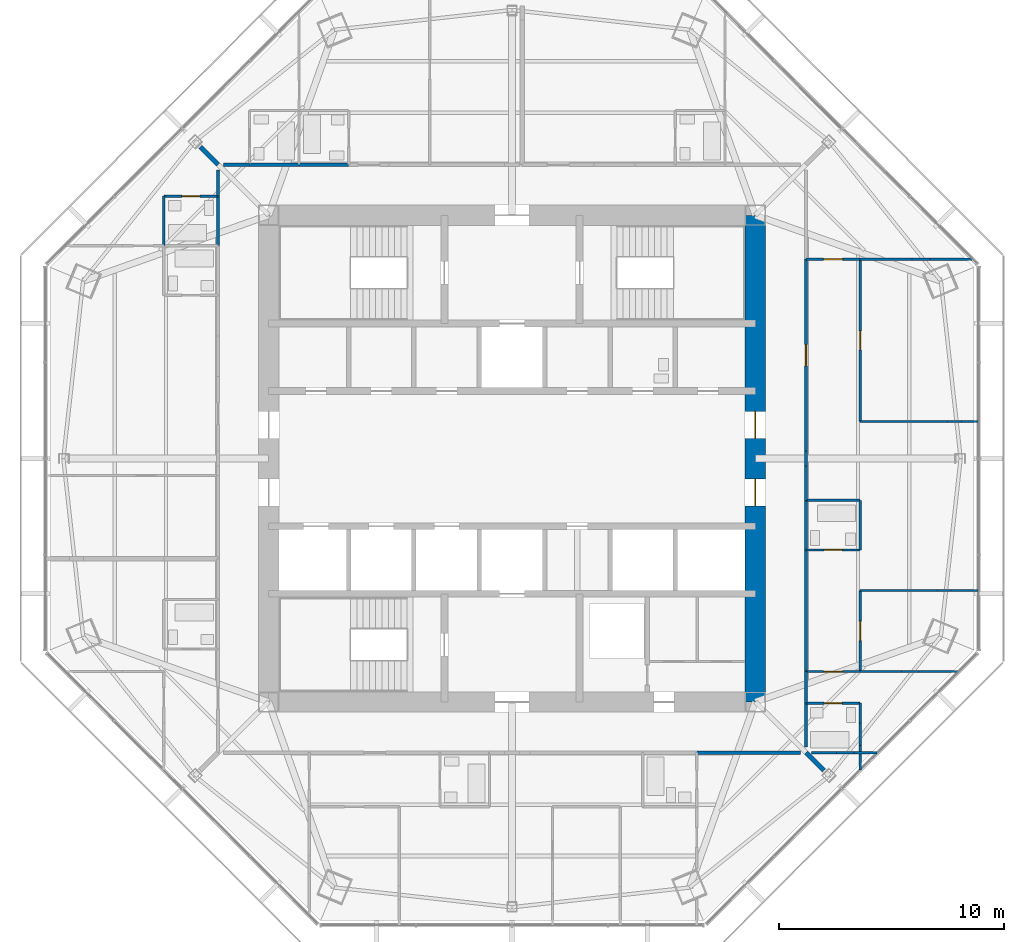
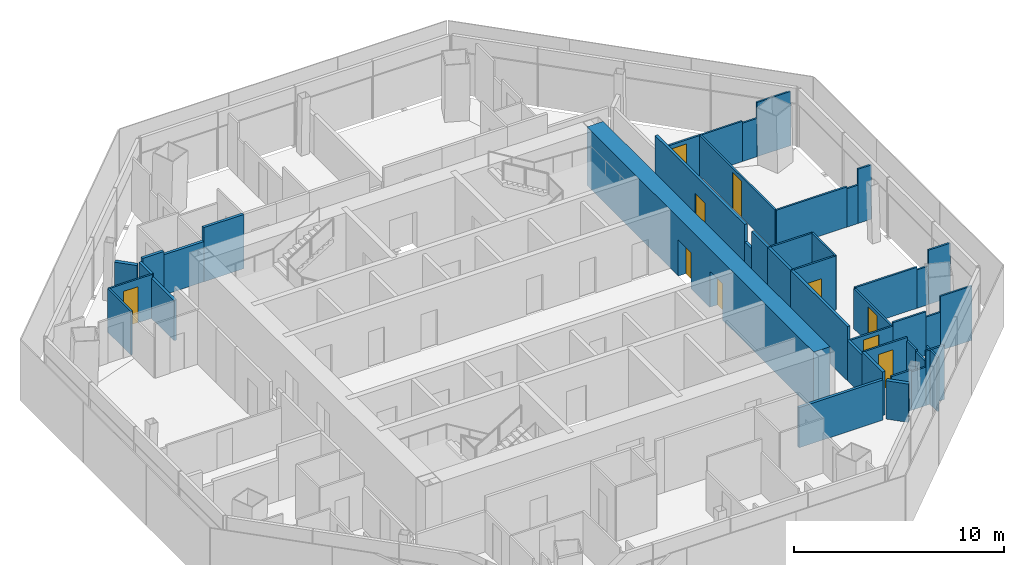
# One storey, part 11 of 15: 44 walls, 10 doors, 10 openings.
"""IFC4 building model written with IfcOpenShell, lengths in metres."""

from ifc_helpers import new_model, si_unit, direction, frame, frame_2d, origin, place, context, subcontext, project, spatial, rectangle, extrude, material, layer, layer_set, type_object, element, fill, save


model = new_model("IFC4")

# Units and contexts
model_context = context("Model", 3, precision=1e-05, world=origin(), true_north=direction((0.0, 1.0)))
body_context = subcontext(model_context, "Body", "Model", "MODEL_VIEW")
ifc_project = project(units=[si_unit("LENGTHUNIT", "METRE"), si_unit("AREAUNIT", "SQUARE_METRE"), si_unit("VOLUMEUNIT", "CUBIC_METRE"), si_unit("PLANEANGLEUNIT", "RADIAN"), si_unit("MASSUNIT", "GRAM", prefix="KILO")], contexts=[model_context])

# Site, building, storey
site_placement = place(None, origin())
site = spatial("IfcSite", under=ifc_project, at=site_placement, CompositionType="ELEMENT")
building_placement = place(site_placement, origin())
building = spatial("IfcBuilding", under=site, at=building_placement, Name="Mashrafa Tower", CompositionType="ELEMENT")
storey_placement = place(building_placement, frame((0.0, 0.0, 258.39990234375)))
storey = spatial("IfcBuildingStorey", under=building, at=storey_placement, Name="L62", CompositionType="ELEMENT", Elevation=258.39990234375)

# Walls
ifc_material_1 = material(Name="Gypsum board on steel studs", Category="steel")
ifc_layer_1 = layer(ifc_material_1, 0.199951171875)
ifc_layer_set_1 = layer_set([ifc_layer_1], Name="Acoustic partition 200 1 hr")
wall_type_1 = type_object("IfcWallType", Name="Acoustic partition 200 1 hr", PredefinedType="PARTITIONING", material=ifc_layer_set_1)
for number, where, z_axis, x_axis, name in (
    (1, (13.050048828125, -13.050048828125, 0.0), (0.0, 0.0, 1.0), (0.707106781187, -0.707106781187, 0.0), "Acoustic wall L62-054"),
    (2, (-13.834228515625, 13.834228515625, 0.0), (0.0, 0.0, 1.0), (0.707106781187, -0.707106781187, 0.0), "Acoustic wall L62-085"),
):
    element("IfcWall", number, at=place(storey_placement, frame(where, z_axis=z_axis, x_axis=x_axis)), inside=storey, type_object=wall_type_1, Name=name, PredefinedType="PARTITIONING", context=body_context, shape_type="SweptSolid", body=[
        extrude(rectangle(XDim=1.10888671875, YDim=0.199951171875, at=frame_2d((0.554443359375, 0.0))), origin(), (0.0, 0.0, 1.0), 2.22998046875),
    ])

# Wall, openings, doors
ifc_material_2 = material(Name="Concrete C50/60", Category="concrete")
ifc_layer_2 = layer(ifc_material_2, 0.89990234375)
ifc_layer_set_2 = layer_set([ifc_layer_2], Name="Core wall 900 C50/60")
wall_type_2 = type_object("IfcWallType", Name="Core wall 900 C50/60", PredefinedType="SOLIDWALL", material=ifc_layer_set_2)
wall_1_placement = place(storey_placement, frame((10.800048828125, -10.800048828125, 0.0), z_axis=(0.0, 0.0, 1.0), x_axis=(0.0, 1.0, 0.0)))
wall_1 = element("IfcWall", 3, at=wall_1_placement, inside=storey, type_object=wall_type_2, Name="Core wall CW-E L62", PredefinedType="SOLIDWALL", context=body_context, shape_type="SweptSolid", body=[
    extrude(rectangle(XDim=21.60009765625, YDim=0.89990234375, at=frame_2d((10.800048828125, 0.0))), origin(), (0.0, 0.0, 1.0), 3.400146484375),
])
opening_1_placement = place(wall_1_placement, frame((11.699951171875, 0.0, 0.0)))
opening_1 = element("IfcOpeningElement", 4, at=opening_1_placement, cuts=wall_1, Name="Opening 62.031", PredefinedType="OPENING", context=body_context, shape_type="SweptSolid", body=[
    extrude(rectangle(XDim=1.199951171875, YDim=2.10009765625, at=frame_2d((0.60009765625, 1.050048828125))), frame((0.0, 0.4599609375, 0.0), z_axis=(0.0, -1.0, 0.0), x_axis=(1.0, 0.0, 0.0)), (0.0, 0.0, 1.0), 0.919921875),
])
opening_2_placement = place(wall_1_placement, frame((8.699951171875, 0.0, 0.0)))
opening_2 = element("IfcOpeningElement", 5, at=opening_2_placement, cuts=wall_1, Name="Opening 62.033", PredefinedType="OPENING", context=body_context, shape_type="SweptSolid", body=[
    extrude(rectangle(XDim=1.199951171875, YDim=2.10009765625, at=frame_2d((0.60009765625, 1.050048828125))), frame((0.0, 0.4599609375, 0.0), z_axis=(0.0, -1.0, 0.0), x_axis=(1.0, 0.0, 0.0)), (0.0, 0.0, 1.0), 0.919921875),
])
ifc_material_3 = material(Name="Steel door", Category="steel")
door_type_1 = type_object("IfcDoorType", Name="Lift hall door 1200 x 2100 90 min", OperationType="USERDEFINED", PredefinedType="DOOR", material=ifc_material_3)
door_1_placement = place(opening_1_placement, frame((1.199951171875, 0.0, 0.0), z_axis=(0.0, 0.0, 1.0), x_axis=(-1.0, 0.0, 0.0)))
door_1 = element("IfcDoor", 6, at=door_1_placement, inside=storey, type_object=door_type_1, Name="Lift hall door east L62", OperationType="SINGLE_SWING_LEFT", OverallHeight=2.10009765625, OverallWidth=1.199951171875, PredefinedType="DOOR", context=body_context, shape_type="SweptSolid", body=[
    extrude(rectangle(XDim=1.199951171875, YDim=2.10009765625, at=frame_2d((0.60009765625, 1.050048828125))), frame((0.0, 0.02490234375, 0.0), z_axis=(0.0, -1.0, 0.0), x_axis=(1.0, 0.0, 0.0)), (0.0, 0.0, 1.0), 0.050048828125),
])
fill(opening_1, door_1)
door_2_placement = place(opening_2_placement, frame((1.199951171875, 0.0, 0.0), z_axis=(0.0, 0.0, 1.0), x_axis=(-1.0, 0.0, 0.0)))
door_2 = element("IfcDoor", 7, at=door_2_placement, inside=storey, type_object=door_type_1, Name="Lift hall door east L62", OperationType="SINGLE_SWING_RIGHT", OverallHeight=2.10009765625, OverallWidth=1.199951171875, PredefinedType="DOOR", context=body_context, shape_type="SweptSolid", body=[
    extrude(rectangle(XDim=1.199951171875, YDim=2.10009765625, at=frame_2d((0.60009765625, 1.050048828125))), frame((0.0, 0.02490234375, 0.0), z_axis=(0.0, -1.0, 0.0), x_axis=(1.0, 0.0, 0.0)), (0.0, 0.0, 1.0), 0.050048828125),
])
fill(opening_2, door_2)

# Walls
ifc_material_4 = material(Name="Gypsum board on steel studs", Category="steel")
ifc_layer_3 = layer(ifc_material_4, 0.14990234375)
ifc_layer_set_3 = layer_set([ifc_layer_3], Name="Corridor partition 150 1 hr")
wall_type_3 = type_object("IfcWallType", Name="Corridor partition 150 1 hr", PredefinedType="PARTITIONING", material=ifc_layer_set_3)
wall_2_placement = place(storey_placement, frame((13.050048828125, -12.801025390625, 0.0), z_axis=(0.0, 0.0, 1.0), x_axis=(0.0, 1.0, 0.0)))
element("IfcWall", 8, at=wall_2_placement, inside=storey, type_object=wall_type_3, Name="Corridor wall L62-001", PredefinedType="PARTITIONING", context=body_context, shape_type="SweptSolid", body=[
    extrude(rectangle(XDim=1.951904296875, YDim=0.14990234375, at=frame_2d((0.97607421875, 0.0))), origin(), (0.0, 0.0, 1.0), 2.5380859375),
])
wall_3_placement = place(storey_placement, frame((13.050048828125, -10.85107421875, 0.0), z_axis=(0.0, 0.0, 1.0), x_axis=(0.0, 1.0, 0.0)))
element("IfcWall", 9, at=wall_3_placement, inside=storey, type_object=wall_type_3, Name="Corridor wall L62-002", PredefinedType="PARTITIONING", context=body_context, shape_type="SweptSolid", body=[
    extrude(rectangle(XDim=1.402099609375, YDim=0.14990234375, at=frame_2d((0.701171875, 0.0))), origin(), (0.0, 0.0, 1.0), 2.340087890625),
])
wall_4_placement = place(storey_placement, frame((13.050048828125, -4.051025390625, 0.0), z_axis=(0.0, 0.0, 1.0), x_axis=(0.0, 1.0, 0.0)))
element("IfcWall", 10, at=wall_4_placement, inside=storey, type_object=wall_type_3, Name="Corridor wall L62-003", PredefinedType="PARTITIONING", context=body_context, shape_type="SweptSolid", body=[
    extrude(rectangle(XDim=2.201904296875, YDim=0.14990234375, at=frame_2d((1.10107421875, 0.0))), origin(), (0.0, 0.0, 1.0), 3.150146484375),
])
wall_5_placement = place(storey_placement, frame((13.050048828125, -1.85107421875, 0.0), z_axis=(0.0, 0.0, 1.0), x_axis=(0.0, 1.0, 0.0)))
element("IfcWall", 11, at=wall_5_placement, inside=storey, type_object=wall_type_3, Name="Corridor wall L62-004", PredefinedType="PARTITIONING", context=body_context, shape_type="SweptSolid", body=[
    extrude(rectangle(XDim=1.52099609375, YDim=0.14990234375, at=frame_2d((0.760498046875, 0.0))), origin(), (0.0, 0.0, 1.0), 3.150146484375),
])
wall_6_placement = place(storey_placement, frame((13.050048828125, -0.330078125, 0.0), z_axis=(0.0, 0.0, 1.0), x_axis=(0.0, 1.0, 0.0)))
element("IfcWall", 12, at=wall_6_placement, inside=storey, type_object=wall_type_3, Name="Corridor wall L62-005", PredefinedType="PARTITIONING", context=body_context, shape_type="SweptSolid", body=[
    extrude(rectangle(XDim=0.66015625, YDim=0.14990234375, at=frame_2d((0.330078125, 0.0))), origin(), (0.0, 0.0, 1.0), 2.130126953125),
])
wall_7_placement = place(storey_placement, frame((13.050048828125, -9.450927734375, 0.0), z_axis=(0.0, 0.0, 1.0), x_axis=(0.0, 1.0, 0.0)))
element("IfcWall", 13, at=wall_7_placement, inside=storey, type_object=wall_type_3, Name="Corridor wall L62-007", PredefinedType="PARTITIONING", context=body_context, shape_type="SweptSolid", body=[
    extrude(rectangle(XDim=5.40185546875, YDim=0.14990234375, at=frame_2d((2.700927734375, 0.0))), origin(), (0.0, 0.0, 1.0), 3.150146484375),
])

# Wall, opening, door
wall_8_placement = place(storey_placement, frame((13.050048828125, 0.330078125, 0.0), z_axis=(0.0, 0.0, 1.0), x_axis=(0.0, 1.0, 0.0)))
wall_8 = element("IfcWall", 14, at=wall_8_placement, inside=storey, type_object=wall_type_3, Name="Corridor wall L62-008", PredefinedType="PARTITIONING", context=body_context, shape_type="SweptSolid", body=[
    extrude(rectangle(XDim=8.52099609375, YDim=0.14990234375, at=frame_2d((4.260498046875, 0.0))), origin(), (0.0, 0.0, 1.0), 3.150146484375),
])
opening_3_placement = place(wall_8_placement, frame((3.785400390625, 0.0, 0.0)))
opening_3 = element("IfcOpeningElement", 15, at=opening_3_placement, cuts=wall_8, Name="Opening 62.006", PredefinedType="OPENING", context=body_context, shape_type="SweptSolid", body=[
    extrude(rectangle(XDim=0.949951171875, YDim=2.10009765625, at=frame_2d((0.47509765625, 1.050048828125))), frame((0.0, 0.0849609375, 0.0), z_axis=(0.0, -1.0, 0.0), x_axis=(1.0, 0.0, 0.0)), (0.0, 0.0, 1.0), 0.169921875),
])
ifc_material_5 = material(Name="Steel door", Category="steel")
door_type_2 = type_object("IfcDoorType", Name="Residence entrance door 950 x 2100 20 min", OperationType="USERDEFINED", PredefinedType="DOOR", material=ifc_material_5)
door_3_placement = place(opening_3_placement, frame((0.949951171875, 0.0, 0.0), z_axis=(0.0, 0.0, 1.0), x_axis=(-1.0, 0.0, 0.0)))
door_3 = element("IfcDoor", 16, at=door_3_placement, inside=storey, type_object=door_type_2, Name="Apartment 6201 Living Room door", OperationType="SINGLE_SWING_LEFT", OverallHeight=2.10009765625, OverallWidth=0.949951171875, PredefinedType="DOOR", context=body_context, shape_type="SweptSolid", body=[
    extrude(rectangle(XDim=0.949951171875, YDim=2.10009765625, at=frame_2d((0.47509765625, 1.050048828125))), frame((0.0, 0.02490234375, 0.0), z_axis=(0.0, -1.0, 0.0), x_axis=(1.0, 0.0, 0.0)), (0.0, 0.0, 1.0), 0.050048828125),
])
fill(opening_3, door_3)

# Walls
wall_9_placement = place(storey_placement, frame((-9.448974609375, 13.050048828125, 0.0), z_axis=(0.0, 0.0, 1.0), x_axis=(-1.0, 0.0, 0.0)))
element("IfcWall", 17, at=wall_9_placement, inside=storey, type_object=wall_type_3, Name="Corridor wall L62-015", PredefinedType="PARTITIONING", context=body_context, shape_type="SweptSolid", body=[
    extrude(rectangle(XDim=2.201904296875, YDim=0.14990234375, at=frame_2d((1.10107421875, 0.0))), origin(), (0.0, 0.0, 1.0), 2.340087890625),
])
wall_10_placement = place(storey_placement, frame((-11.64892578125, 13.050048828125, 0.0), z_axis=(0.0, 0.0, 1.0), x_axis=(-1.0, 0.0, 0.0)))
element("IfcWall", 18, at=wall_10_placement, inside=storey, type_object=wall_type_3, Name="Corridor wall L62-016", PredefinedType="PARTITIONING", context=body_context, shape_type="SweptSolid", body=[
    extrude(rectangle(XDim=1.152099609375, YDim=0.14990234375, at=frame_2d((0.576171875, 0.0))), origin(), (0.0, 0.0, 1.0), 2.5380859375),
])
wall_11_placement = place(storey_placement, frame((-7.2490234375, 13.050048828125, 0.0), z_axis=(0.0, 0.0, 1.0), x_axis=(-1.0, 0.0, 0.0)))
element("IfcWall", 19, at=wall_11_placement, inside=storey, type_object=wall_type_3, Name="Corridor wall L62-017", PredefinedType="PARTITIONING", context=body_context, shape_type="SweptSolid", body=[
    extrude(rectangle(XDim=2.201904296875, YDim=0.14990234375, at=frame_2d((1.10107421875, 0.0))), origin(), (0.0, 0.0, 1.0), 3.150146484375),
])
wall_12_placement = place(storey_placement, frame((-13.050048828125, 11.65087890625, 0.0), z_axis=(0.0, 0.0, 1.0), x_axis=(0.0, -1.0, 0.0)))
element("IfcWall", 20, at=wall_12_placement, inside=storey, type_object=wall_type_3, Name="Corridor wall L62-022", PredefinedType="PARTITIONING", context=body_context, shape_type="SweptSolid", body=[
    extrude(rectangle(XDim=2.201904296875, YDim=0.14990234375, at=frame_2d((1.10107421875, 0.0))), origin(), (0.0, 0.0, 1.0), 2.340087890625),
])
wall_13_placement = place(storey_placement, frame((-13.050048828125, 12.801025390625, 0.0), z_axis=(0.0, 0.0, 1.0), x_axis=(0.0, -1.0, 0.0)))
element("IfcWall", 21, at=wall_13_placement, inside=storey, type_object=wall_type_3, Name="Corridor wall L62-023", PredefinedType="PARTITIONING", context=body_context, shape_type="SweptSolid", body=[
    extrude(rectangle(XDim=1.152099609375, YDim=0.14990234375, at=frame_2d((0.576171875, 0.0))), origin(), (0.0, 0.0, 1.0), 2.5380859375),
])
wall_14_placement = place(storey_placement, frame((8.198974609375, -13.050048828125, 0.0), z_axis=(0.0, 0.0, 1.0), x_axis=(1.0, 0.0, 0.0)))
element("IfcWall", 22, at=wall_14_placement, inside=storey, type_object=wall_type_3, Name="Corridor wall L62-040", PredefinedType="PARTITIONING", context=body_context, shape_type="SweptSolid", body=[
    extrude(rectangle(XDim=4.60205078125, YDim=0.14990234375, at=frame_2d((2.301025390625, 0.0))), origin(), (0.0, 0.0, 1.0), 2.340087890625),
])
ifc_material_6 = material(Name="Gypsum board on steel studs", Category="steel")
ifc_layer_4 = layer(ifc_material_6, 0.10009765625)
ifc_layer_set_4 = layer_set([ifc_layer_4], Name="Partition 100")
wall_type_4 = type_object("IfcWallType", Name="Partition 100", PredefinedType="PARTITIONING", material=ifc_layer_set_4)
wall_15_placement = place(storey_placement, frame((13.299072265625, -13.050048828125, 0.0), z_axis=(0.0, 0.0, 1.0), x_axis=(1.0, 0.0, 0.0)))
element("IfcWall", 23, at=wall_15_placement, inside=storey, type_object=wall_type_4, Name="Partition wall L62-043", PredefinedType="PARTITIONING", context=body_context, shape_type="SweptSolid", body=[
    extrude(rectangle(XDim=1.10693359375, YDim=0.10009765625, at=frame_2d((0.553466796875, 0.0))), origin(), (0.0, 0.0, 1.0), 2.340087890625),
])
wall_16_placement = place(storey_placement, frame((15.186767578125, -13.050048828125, 0.0), z_axis=(0.0, 0.0, 1.0), x_axis=(1.0, 0.0, 0.0)))
element("IfcWall", 24, at=wall_16_placement, inside=storey, type_object=wall_type_4, Name="Partition wall L62-044", PredefinedType="PARTITIONING", context=body_context, shape_type="SweptSolid", body=[
    extrude(rectangle(XDim=1.020751953125, YDim=0.10009765625, at=frame_2d((0.51025390625, 0.0))), origin(), (0.0, 0.0, 1.0), 3.150146484375),
])
wall_17_placement = place(storey_placement, frame((14.406005859375, -13.050048828125, 0.0), z_axis=(0.0, 0.0, 1.0), x_axis=(1.0, 0.0, 0.0)))
element("IfcWall", 25, at=wall_17_placement, inside=storey, type_object=wall_type_4, Name="Partition wall L62-045", PredefinedType="PARTITIONING", context=body_context, shape_type="SweptSolid", body=[
    extrude(rectangle(XDim=0.78076171875, YDim=0.10009765625, at=frame_2d((0.390380859375, 0.0))), origin(), (0.0, 0.0, 1.0), 2.22998046875),
])
wall_18_placement = place(storey_placement, frame((15.449951171875, -13.807373046875, 0.0), z_axis=(0.0, 0.0, 1.0), x_axis=(0.0, 1.0, 0.0)))
element("IfcWall", 26, at=wall_18_placement, inside=storey, type_object=wall_type_4, Name="Partition wall L62-046", PredefinedType="PARTITIONING", context=body_context, shape_type="SweptSolid", body=[
    extrude(rectangle(XDim=1.0869140625, YDim=0.10009765625, at=frame_2d((0.54345703125, 0.0))), origin(), (0.0, 0.0, 1.0), 3.150146484375),
])
wall_19_placement = place(storey_placement, frame((15.449951171875, -11.7431640625, 0.0), z_axis=(0.0, 0.0, 1.0), x_axis=(0.0, 1.0, 0.0)))
element("IfcWall", 27, at=wall_19_placement, inside=storey, type_object=wall_type_4, Name="Partition wall L62-047", PredefinedType="PARTITIONING", context=body_context, shape_type="SweptSolid", body=[
    extrude(rectangle(XDim=0.89306640625, YDim=0.10009765625, at=frame_2d((0.446533203125, 0.0))), origin(), (0.0, 0.0, 1.0), 2.340087890625),
])
wall_20_placement = place(storey_placement, frame((15.449951171875, -12.720458984375, 0.0), z_axis=(0.0, 0.0, 1.0), x_axis=(0.0, 1.0, 0.0)))
element("IfcWall", 28, at=wall_20_placement, inside=storey, type_object=wall_type_4, Name="Partition wall L62-048", PredefinedType="PARTITIONING", context=body_context, shape_type="SweptSolid", body=[
    extrude(rectangle(XDim=0.977294921875, YDim=0.10009765625, at=frame_2d((0.48876953125, 0.0))), origin(), (0.0, 0.0, 1.0), 2.22998046875),
])

# Wall, opening, door
wall_21_placement = place(storey_placement, frame((15.449951171875, -10.85009765625, 0.0), z_axis=(0.0, 0.0, 1.0), x_axis=(-1.0, 0.0, 0.0)))
wall_21 = element("IfcWall", 29, at=wall_21_placement, inside=storey, type_object=wall_type_4, Name="Partition wall L62-049", PredefinedType="PARTITIONING", context=body_context, shape_type="SweptSolid", body=[
    extrude(rectangle(XDim=2.39990234375, YDim=0.10009765625, at=frame_2d((1.199951171875, 0.0))), origin(), (0.0, 0.0, 1.0), 2.5380859375),
])
opening_4_placement = place(wall_21_placement, frame((0.800048828125, 0.0, 0.0)))
opening_4 = element("IfcOpeningElement", 30, at=opening_4_placement, cuts=wall_21, Name="Opening 62.001", PredefinedType="OPENING", context=body_context, shape_type="SweptSolid", body=[
    extrude(rectangle(XDim=0.800048828125, YDim=2.10009765625, at=frame_2d((0.39990234375, 1.050048828125))), frame((0.0, 0.06005859375, 0.0), z_axis=(0.0, -1.0, 0.0), x_axis=(1.0, 0.0, 0.0)), (0.0, 0.0, 1.0), 0.1201171875),
])
ifc_material_7 = material(Name="Timber door", Category="wood")
door_type_3 = type_object("IfcDoorType", Name="Bathroom door 800 x 2100", OperationType="USERDEFINED", PredefinedType="DOOR", material=ifc_material_7)
door_4_placement = place(opening_4_placement, origin())
door_4 = element("IfcDoor", 31, at=door_4_placement, inside=storey, type_object=door_type_3, Name="Apartment 6201 En-suite Bathroom door", OperationType="SINGLE_SWING_RIGHT", OverallHeight=2.10009765625, OverallWidth=0.800048828125, PredefinedType="DOOR", context=body_context, shape_type="SweptSolid", body=[
    extrude(rectangle(XDim=0.800048828125, YDim=2.10009765625, at=frame_2d((0.39990234375, 1.050048828125))), frame((0.0, 0.02490234375, 0.0), z_axis=(0.0, -1.0, 0.0), x_axis=(1.0, 0.0, 0.0)), (0.0, 0.0, 1.0), 0.050048828125),
])
fill(opening_4, door_4)

# Walls
wall_22_placement = place(storey_placement, frame((19.807373046875, -9.449951171875, 0.0), z_axis=(0.0, 0.0, 1.0), x_axis=(-1.0, 0.0, 0.0)))
element("IfcWall", 32, at=wall_22_placement, inside=storey, type_object=wall_type_4, Name="Partition wall L62-050", PredefinedType="PARTITIONING", context=body_context, shape_type="SweptSolid", body=[
    extrude(rectangle(XDim=1.7451171875, YDim=0.10009765625, at=frame_2d((0.87255859375, 0.0))), origin(), (0.0, 0.0, 1.0), 3.150146484375),
])
wall_23_placement = place(storey_placement, frame((17.281494140625, -9.449951171875, 0.0), z_axis=(0.0, 0.0, 1.0), x_axis=(-1.0, 0.0, 0.0)))
element("IfcWall", 33, at=wall_23_placement, inside=storey, type_object=wall_type_4, Name="Partition wall L62-051", PredefinedType="PARTITIONING", context=body_context, shape_type="SweptSolid", body=[
    extrude(rectangle(XDim=1.83251953125, YDim=0.10009765625, at=frame_2d((0.916259765625, 0.0))), origin(), (0.0, 0.0, 1.0), 2.5380859375),
])
wall_24_placement = place(storey_placement, frame((18.062255859375, -9.449951171875, 0.0), z_axis=(0.0, 0.0, 1.0), x_axis=(-1.0, 0.0, 0.0)))
element("IfcWall", 34, at=wall_24_placement, inside=storey, type_object=wall_type_4, Name="Partition wall L62-052", PredefinedType="PARTITIONING", context=body_context, shape_type="SweptSolid", body=[
    extrude(rectangle(XDim=0.78076171875, YDim=0.10009765625, at=frame_2d((0.390380859375, 0.0))), origin(), (0.0, 0.0, 1.0), 2.22998046875),
])

# Wall, opening, door
wall_25_placement = place(storey_placement, frame((15.450927734375, -9.449951171875, 0.0), z_axis=(0.0, 0.0, 1.0), x_axis=(-1.0, 0.0, 0.0)))
wall_25 = element("IfcWall", 35, at=wall_25_placement, inside=storey, type_object=wall_type_4, Name="Partition wall L62-053", PredefinedType="PARTITIONING", context=body_context, shape_type="SweptSolid", body=[
    extrude(rectangle(XDim=2.40087890625, YDim=0.10009765625, at=frame_2d((1.200439453125, 0.0))), origin(), (0.0, 0.0, 1.0), 2.340087890625),
])
opening_5_placement = place(wall_25_placement, frame((0.775390625, 0.0, 0.0)))
opening_5 = element("IfcOpeningElement", 36, at=opening_5_placement, cuts=wall_25, Name="Opening 62.002", PredefinedType="OPENING", context=body_context, shape_type="SweptSolid", body=[
    extrude(rectangle(XDim=0.85009765625, YDim=2.10009765625, at=frame_2d((0.425048828125, 1.050048828125))), frame((0.0, 0.06005859375, 0.0), z_axis=(0.0, -1.0, 0.0), x_axis=(1.0, 0.0, 0.0)), (0.0, 0.0, 1.0), 0.1201171875),
])
ifc_material_8 = material(Name="Timber door", Category="wood")
door_type_4 = type_object("IfcDoorType", Name="Bedroom door 850 x 2100", OperationType="USERDEFINED", PredefinedType="DOOR", material=ifc_material_8)
door_5_placement = place(opening_5_placement, origin())
door_5 = element("IfcDoor", 37, at=door_5_placement, inside=storey, type_object=door_type_4, Name="Apartment 6201 Bedroom 1 door", OperationType="SINGLE_SWING_RIGHT", OverallHeight=2.10009765625, OverallWidth=0.85009765625, PredefinedType="DOOR", context=body_context, shape_type="SweptSolid", body=[
    extrude(rectangle(XDim=0.85009765625, YDim=2.10009765625, at=frame_2d((0.425048828125, 1.050048828125))), frame((0.0, 0.02490234375, 0.0), z_axis=(0.0, -1.0, 0.0), x_axis=(1.0, 0.0, 0.0)), (0.0, 0.0, 1.0), 0.050048828125),
])
fill(opening_5, door_5)

# Walls
wall_26_placement = place(storey_placement, frame((20.68701171875, -5.85009765625, 0.0), z_axis=(0.0, 0.0, 1.0), x_axis=(-1.0, 0.0, 0.0)))
element("IfcWall", 38, at=wall_26_placement, inside=storey, type_object=wall_type_4, Name="Partition wall L62-055", PredefinedType="PARTITIONING", context=body_context, shape_type="SweptSolid", body=[
    extrude(rectangle(XDim=1.2060546875, YDim=0.10009765625, at=frame_2d((0.60302734375, 0.0))), origin(), (0.0, 0.0, 1.0), 3.150146484375),
])
wall_27_placement = place(storey_placement, frame((18.8671875, -5.85009765625, 0.0), z_axis=(0.0, 0.0, 1.0), x_axis=(-1.0, 0.0, 0.0)))
element("IfcWall", 39, at=wall_27_placement, inside=storey, type_object=wall_type_4, Name="Partition wall L62-056", PredefinedType="PARTITIONING", context=body_context, shape_type="SweptSolid", body=[
    extrude(rectangle(XDim=3.417236328125, YDim=0.10009765625, at=frame_2d((1.70849609375, 0.0))), origin(), (0.0, 0.0, 1.0), 2.3857421875),
])
wall_28_placement = place(storey_placement, frame((19.48095703125, -5.85009765625, 0.0), z_axis=(0.0, 0.0, 1.0), x_axis=(-1.0, 0.0, 0.0)))
element("IfcWall", 40, at=wall_28_placement, inside=storey, type_object=wall_type_4, Name="Partition wall L62-057", PredefinedType="PARTITIONING", context=body_context, shape_type="SweptSolid", body=[
    extrude(rectangle(XDim=0.61376953125, YDim=0.10009765625, at=frame_2d((0.306884765625, 0.0))), origin(), (0.0, 0.0, 1.0), 2.22998046875),
])

# Wall, opening, door
wall_29_placement = place(storey_placement, frame((15.449951171875, -5.85009765625, 0.0), z_axis=(0.0, 0.0, 1.0), x_axis=(0.0, -1.0, 0.0)))
wall_29 = element("IfcWall", 41, at=wall_29_placement, inside=storey, type_object=wall_type_4, Name="Partition wall L62-058", PredefinedType="PARTITIONING", context=body_context, shape_type="SweptSolid", body=[
    extrude(rectangle(XDim=3.599853515625, YDim=0.10009765625, at=frame_2d((1.7998046875, 0.0))), origin(), (0.0, 0.0, 1.0), 2.340087890625),
])
opening_6_placement = place(wall_29_placement, frame((1.375, 0.0, 0.0)))
opening_6 = element("IfcOpeningElement", 42, at=opening_6_placement, cuts=wall_29, Name="Opening 62.003", PredefinedType="OPENING", context=body_context, shape_type="SweptSolid", body=[
    extrude(rectangle(XDim=0.85009765625, YDim=2.10009765625, at=frame_2d((0.425048828125, 1.050048828125))), frame((0.0, 0.06005859375, 0.0), z_axis=(0.0, -1.0, 0.0), x_axis=(1.0, 0.0, 0.0)), (0.0, 0.0, 1.0), 0.1201171875),
])
door_6_placement = place(opening_6_placement, origin())
door_6 = element("IfcDoor", 43, at=door_6_placement, inside=storey, type_object=door_type_4, Name="Apartment 6201 Majlis door", OperationType="SINGLE_SWING_RIGHT", OverallHeight=2.10009765625, OverallWidth=0.85009765625, PredefinedType="DOOR", context=body_context, shape_type="SweptSolid", body=[
    extrude(rectangle(XDim=0.85009765625, YDim=2.10009765625, at=frame_2d((0.425048828125, 1.050048828125))), frame((0.0, 0.02490234375, 0.0), z_axis=(0.0, -1.0, 0.0), x_axis=(1.0, 0.0, 0.0)), (0.0, 0.0, 1.0), 0.050048828125),
])
fill(opening_6, door_6)

# Wall
wall_30_placement = place(storey_placement, frame((15.449951171875, -1.85009765625, 0.0), z_axis=(0.0, 0.0, 1.0), x_axis=(-1.0, 0.0, 0.0)))
element("IfcWall", 44, at=wall_30_placement, inside=storey, type_object=wall_type_4, Name="Partition wall L62-059", PredefinedType="PARTITIONING", context=body_context, shape_type="SweptSolid", body=[
    extrude(rectangle(XDim=2.39990234375, YDim=0.10009765625, at=frame_2d((1.199951171875, 0.0))), origin(), (0.0, 0.0, 1.0), 3.150146484375),
])

# Wall, opening, door
wall_31_placement = place(storey_placement, frame((13.050048828125, -4.050048828125, 0.0), z_axis=(0.0, 0.0, 1.0), x_axis=(1.0, 0.0, 0.0)))
wall_31 = element("IfcWall", 45, at=wall_31_placement, inside=storey, type_object=wall_type_4, Name="Partition wall L62-060", PredefinedType="PARTITIONING", context=body_context, shape_type="SweptSolid", body=[
    extrude(rectangle(XDim=2.39990234375, YDim=0.10009765625, at=frame_2d((1.199951171875, 0.0))), origin(), (0.0, 0.0, 1.0), 3.150146484375),
])
opening_7_placement = place(wall_31_placement, frame((0.800048828125, 0.0, 0.0)))
opening_7 = element("IfcOpeningElement", 46, at=opening_7_placement, cuts=wall_31, Name="Opening 62.004", PredefinedType="OPENING", context=body_context, shape_type="SweptSolid", body=[
    extrude(rectangle(XDim=0.800048828125, YDim=2.10009765625, at=frame_2d((0.39990234375, 1.050048828125))), frame((0.0, 0.06005859375, 0.0), z_axis=(0.0, -1.0, 0.0), x_axis=(1.0, 0.0, 0.0)), (0.0, 0.0, 1.0), 0.1201171875),
])
door_7_placement = place(opening_7_placement, origin())
door_7 = element("IfcDoor", 47, at=door_7_placement, inside=storey, type_object=door_type_3, Name="Apartment 6201 Bathroom door", OperationType="SINGLE_SWING_RIGHT", OverallHeight=2.10009765625, OverallWidth=0.800048828125, PredefinedType="DOOR", context=body_context, shape_type="SweptSolid", body=[
    extrude(rectangle(XDim=0.800048828125, YDim=2.10009765625, at=frame_2d((0.39990234375, 1.050048828125))), frame((0.0, 0.02490234375, 0.0), z_axis=(0.0, -1.0, 0.0), x_axis=(1.0, 0.0, 0.0)), (0.0, 0.0, 1.0), 0.050048828125),
])
fill(opening_7, door_7)

# Wall
wall_32_placement = place(storey_placement, frame((15.449951171875, -4.050048828125, 0.0), z_axis=(0.0, 0.0, 1.0), x_axis=(0.0, 1.0, 0.0)))
element("IfcWall", 48, at=wall_32_placement, inside=storey, type_object=wall_type_4, Name="Partition wall L62-061", PredefinedType="PARTITIONING", context=body_context, shape_type="SweptSolid", body=[
    extrude(rectangle(XDim=2.199951171875, YDim=0.10009765625, at=frame_2d((1.10009765625, 0.0))), origin(), (0.0, 0.0, 1.0), 3.150146484375),
])

# Wall, opening, door
wall_33_placement = place(storey_placement, frame((13.050048828125, 8.85009765625, 0.0), z_axis=(0.0, 0.0, 1.0), x_axis=(1.0, 0.0, 0.0)))
wall_33 = element("IfcWall", 49, at=wall_33_placement, inside=storey, type_object=wall_type_4, Name="Partition wall L62-062", PredefinedType="PARTITIONING", context=body_context, shape_type="SweptSolid", body=[
    extrude(rectangle(XDim=2.40087890625, YDim=0.10009765625, at=frame_2d((1.200439453125, 0.0))), origin(), (0.0, 0.0, 1.0), 2.340087890625),
])
opening_8_placement = place(wall_33_placement, frame((0.775390625, 0.0, 0.0)))
opening_8 = element("IfcOpeningElement", 50, at=opening_8_placement, cuts=wall_33, Name="Opening 62.005", PredefinedType="OPENING", context=body_context, shape_type="SweptSolid", body=[
    extrude(rectangle(XDim=0.85009765625, YDim=2.10009765625, at=frame_2d((0.425048828125, 1.050048828125))), frame((0.0, 0.06005859375, 0.0), z_axis=(0.0, -1.0, 0.0), x_axis=(1.0, 0.0, 0.0)), (0.0, 0.0, 1.0), 0.1201171875),
])
door_8_placement = place(opening_8_placement, origin())
door_8 = element("IfcDoor", 51, at=door_8_placement, inside=storey, type_object=door_type_4, Name="Apartment 6201 Bedroom 2 door", OperationType="SINGLE_SWING_LEFT", OverallHeight=2.10009765625, OverallWidth=0.85009765625, PredefinedType="DOOR", context=body_context, shape_type="SweptSolid", body=[
    extrude(rectangle(XDim=0.85009765625, YDim=2.10009765625, at=frame_2d((0.425048828125, 1.050048828125))), frame((0.0, 0.02490234375, 0.0), z_axis=(0.0, -1.0, 0.0), x_axis=(1.0, 0.0, 0.0)), (0.0, 0.0, 1.0), 0.050048828125),
])
fill(opening_8, door_8)

# Walls
wall_34_placement = place(storey_placement, frame((15.448974609375, 8.85009765625, 0.0), z_axis=(0.0, 0.0, 1.0), x_axis=(1.0, 0.0, 0.0)))
element("IfcWall", 52, at=wall_34_placement, inside=storey, type_object=wall_type_4, Name="Partition wall L62-063", PredefinedType="PARTITIONING", context=body_context, shape_type="SweptSolid", body=[
    extrude(rectangle(XDim=2.31201171875, YDim=0.10009765625, at=frame_2d((1.156005859375, 0.0))), origin(), (0.0, 0.0, 1.0), 2.340087890625),
])
wall_35_placement = place(storey_placement, frame((18.54150390625, 8.85009765625, 0.0), z_axis=(0.0, 0.0, 1.0), x_axis=(1.0, 0.0, 0.0)))
element("IfcWall", 53, at=wall_35_placement, inside=storey, type_object=wall_type_4, Name="Partition wall L62-064", PredefinedType="PARTITIONING", context=body_context, shape_type="SweptSolid", body=[
    extrude(rectangle(XDim=1.865966796875, YDim=0.10009765625, at=frame_2d((0.93310546875, 0.0))), origin(), (0.0, 0.0, 1.0), 3.150146484375),
])
wall_36_placement = place(storey_placement, frame((17.760986328125, 8.85009765625, 0.0), z_axis=(0.0, 0.0, 1.0), x_axis=(1.0, 0.0, 0.0)))
element("IfcWall", 54, at=wall_36_placement, inside=storey, type_object=wall_type_4, Name="Partition wall L62-065", PredefinedType="PARTITIONING", context=body_context, shape_type="SweptSolid", body=[
    extrude(rectangle(XDim=0.780517578125, YDim=0.10009765625, at=frame_2d((0.39013671875, 0.0))), origin(), (0.0, 0.0, 1.0), 2.22998046875),
])
wall_37_placement = place(storey_placement, frame((20.68701171875, 1.64990234375, 0.0), z_axis=(0.0, 0.0, 1.0), x_axis=(-1.0, 0.0, 0.0)))
element("IfcWall", 55, at=wall_37_placement, inside=storey, type_object=wall_type_4, Name="Partition wall L62-067", PredefinedType="PARTITIONING", context=body_context, shape_type="SweptSolid", body=[
    extrude(rectangle(XDim=0.736083984375, YDim=0.10009765625, at=frame_2d((0.3681640625, 0.0))), origin(), (0.0, 0.0, 1.0), 3.150146484375),
])
wall_38_placement = place(storey_placement, frame((19.337158203125, 1.64990234375, 0.0), z_axis=(0.0, 0.0, 1.0), x_axis=(-1.0, 0.0, 0.0)))
element("IfcWall", 56, at=wall_38_placement, inside=storey, type_object=wall_type_4, Name="Partition wall L62-068", PredefinedType="PARTITIONING", context=body_context, shape_type="SweptSolid", body=[
    extrude(rectangle(XDim=3.88720703125, YDim=0.10009765625, at=frame_2d((1.943603515625, 0.0))), origin(), (0.0, 0.0, 1.0), 2.340087890625),
])
wall_39_placement = place(storey_placement, frame((19.950927734375, 1.64990234375, 0.0), z_axis=(0.0, 0.0, 1.0), x_axis=(-1.0, 0.0, 0.0)))
element("IfcWall", 57, at=wall_39_placement, inside=storey, type_object=wall_type_4, Name="Partition wall L62-069", PredefinedType="PARTITIONING", context=body_context, shape_type="SweptSolid", body=[
    extrude(rectangle(XDim=0.61376953125, YDim=0.10009765625, at=frame_2d((0.306884765625, 0.0))), origin(), (0.0, 0.0, 1.0), 2.22998046875),
])

# Wall, opening, door
wall_40_placement = place(storey_placement, frame((15.449951171875, 1.64990234375, 0.0), z_axis=(0.0, 0.0, 1.0), x_axis=(0.0, 1.0, 0.0)))
wall_40 = element("IfcWall", 58, at=wall_40_placement, inside=storey, type_object=wall_type_4, Name="Partition wall L62-070", PredefinedType="PARTITIONING", context=body_context, shape_type="SweptSolid", body=[
    extrude(rectangle(XDim=7.2001953125, YDim=0.10009765625, at=frame_2d((3.60009765625, 0.0))), origin(), (0.0, 0.0, 1.0), 2.340087890625),
])
opening_9_placement = place(wall_40_placement, frame((3.175048828125, 0.0, 0.0)))
opening_9 = element("IfcOpeningElement", 59, at=opening_9_placement, cuts=wall_40, Name="Opening 62.007", PredefinedType="OPENING", context=body_context, shape_type="SweptSolid", body=[
    extrude(rectangle(XDim=0.85009765625, YDim=2.10009765625, at=frame_2d((0.425048828125, 1.050048828125))), frame((0.0, 0.06005859375, 0.0), z_axis=(0.0, -1.0, 0.0), x_axis=(1.0, 0.0, 0.0)), (0.0, 0.0, 1.0), 0.1201171875),
])
door_9_placement = place(opening_9_placement, frame((0.85009765625, 0.0, 0.0), z_axis=(0.0, 0.0, 1.0), x_axis=(-1.0, 0.0, 0.0)))
door_9 = element("IfcDoor", 60, at=door_9_placement, inside=storey, type_object=door_type_4, Name="Apartment 6201 Dining Room door", OperationType="SINGLE_SWING_LEFT", OverallHeight=2.10009765625, OverallWidth=0.85009765625, PredefinedType="DOOR", context=body_context, shape_type="SweptSolid", body=[
    extrude(rectangle(XDim=0.85009765625, YDim=2.10009765625, at=frame_2d((0.425048828125, 1.050048828125))), frame((0.0, 0.02490234375, 0.0), z_axis=(0.0, -1.0, 0.0), x_axis=(1.0, 0.0, 0.0)), (0.0, 0.0, 1.0), 0.050048828125),
])
fill(opening_9, door_9)

wall_41_placement = place(storey_placement, frame((-13.050048828125, 11.64990234375, 0.0), z_axis=(0.0, 0.0, 1.0), x_axis=(-1.0, 0.0, 0.0)))
wall_41 = element("IfcWall", 61, at=wall_41_placement, inside=storey, type_object=wall_type_4, Name="Partition wall L62-092", PredefinedType="PARTITIONING", context=body_context, shape_type="SweptSolid", body=[
    extrude(rectangle(XDim=2.39990234375, YDim=0.10009765625, at=frame_2d((1.199951171875, 0.0))), origin(), (0.0, 0.0, 1.0), 2.5380859375),
])
opening_10_placement = place(wall_41_placement, frame((0.800048828125, 0.0, 0.0)))
opening_10 = element("IfcOpeningElement", 62, at=opening_10_placement, cuts=wall_41, Name="Opening 62.016", PredefinedType="OPENING", context=body_context, shape_type="SweptSolid", body=[
    extrude(rectangle(XDim=0.800048828125, YDim=2.10009765625, at=frame_2d((0.39990234375, 1.050048828125))), frame((0.0, 0.06005859375, 0.0), z_axis=(0.0, -1.0, 0.0), x_axis=(1.0, 0.0, 0.0)), (0.0, 0.0, 1.0), 0.1201171875),
])
door_10_placement = place(opening_10_placement, origin())
door_10 = element("IfcDoor", 63, at=door_10_placement, inside=storey, type_object=door_type_3, Name="Apartment 6204 En-suite Bathroom door", OperationType="SINGLE_SWING_RIGHT", OverallHeight=2.10009765625, OverallWidth=0.800048828125, PredefinedType="DOOR", context=body_context, shape_type="SweptSolid", body=[
    extrude(rectangle(XDim=0.800048828125, YDim=2.10009765625, at=frame_2d((0.39990234375, 1.050048828125))), frame((0.0, 0.02490234375, 0.0), z_axis=(0.0, -1.0, 0.0), x_axis=(1.0, 0.0, 0.0)), (0.0, 0.0, 1.0), 0.050048828125),
])
fill(opening_10, door_10)

# Wall
wall_42_placement = place(storey_placement, frame((-15.449951171875, 11.64990234375, 0.0), z_axis=(0.0, 0.0, 1.0), x_axis=(0.0, -1.0, 0.0)))
element("IfcWall", 64, at=wall_42_placement, inside=storey, type_object=wall_type_4, Name="Partition wall L62-093", PredefinedType="PARTITIONING", context=body_context, shape_type="SweptSolid", body=[
    extrude(rectangle(XDim=2.199951171875, YDim=0.10009765625, at=frame_2d((1.10009765625, 0.0))), origin(), (0.0, 0.0, 1.0), 2.5380859375),
])

save(model, "model.ifc")
